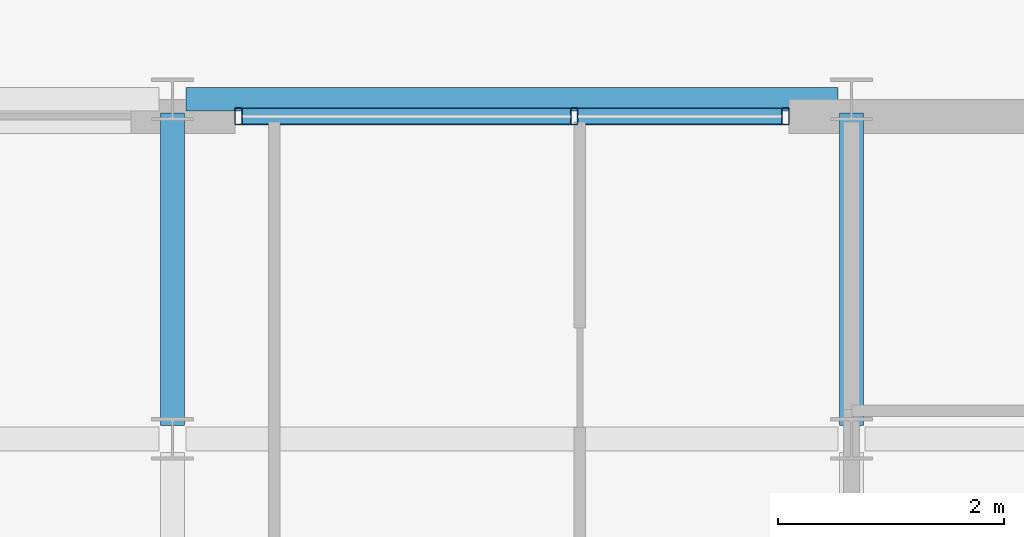
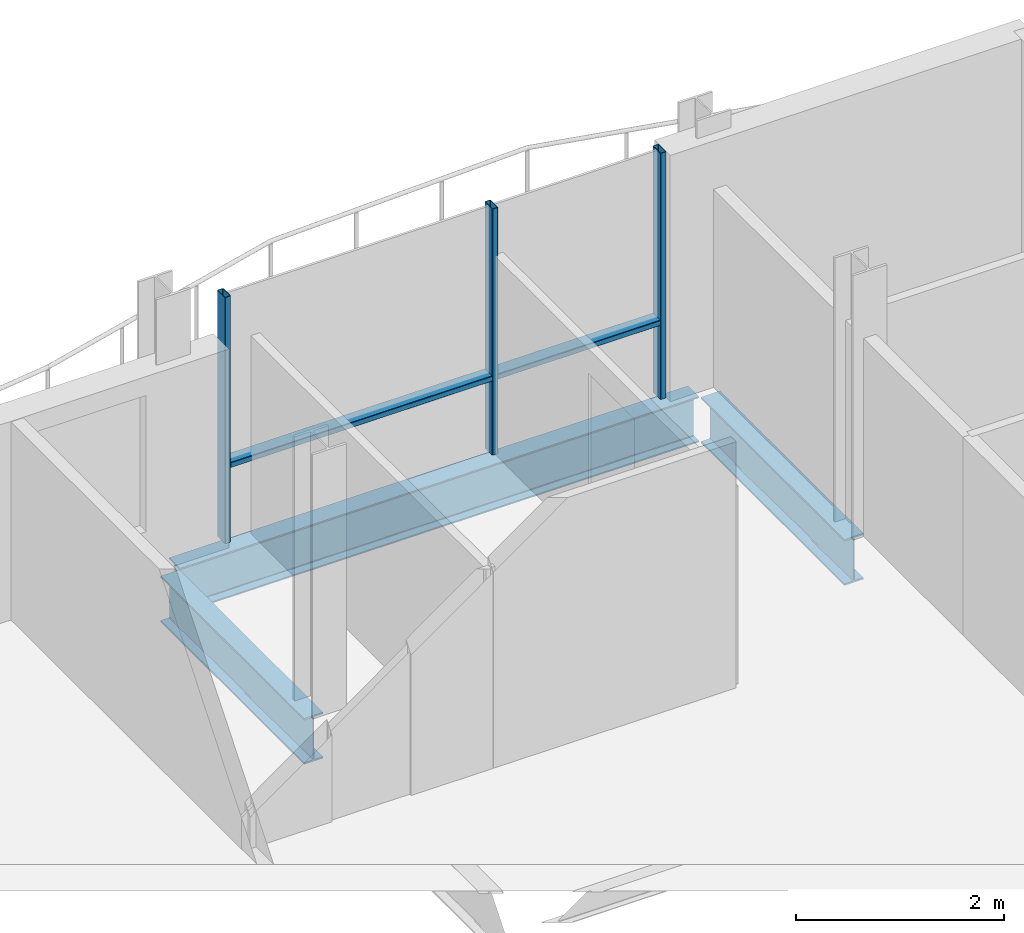
# One storey, part 14 of 30: 5 members, 3 beams, 1 element without a shape of its own.
"""IFC4 building model written with IfcOpenShell, lengths in metres."""

from ifc_helpers import new_model, si_unit, direction, frame, origin, origin_2d, place, context, subcontext, project, spatial, hollow_rectangle, i_section, extrude, material, layer, layer_set, material_profile, profile_set, type_object, element, aggregate, save


model = new_model("IFC4")

# Units and contexts
model_context = context("Model", 3, precision=1e-05, world=origin(), true_north=direction((0.0, 1.0)))
body_context = subcontext(model_context, "Body", "Model", "MODEL_VIEW")
ifc_project = project(units=[si_unit("LENGTHUNIT", "METRE"), si_unit("AREAUNIT", "SQUARE_METRE"), si_unit("VOLUMEUNIT", "CUBIC_METRE"), si_unit("PLANEANGLEUNIT", "RADIAN"), si_unit("MASSUNIT", "GRAM", prefix="KILO")], contexts=[model_context])

# Site, building, storey
site_placement = place(None, origin())
site = spatial("IfcSite", under=ifc_project, at=site_placement, CompositionType="ELEMENT")
building_placement = place(site_placement, origin())
building = spatial("IfcBuilding", under=site, at=building_placement, Name="Brevholm Reach", CompositionType="ELEMENT")
storey_placement = place(building_placement, frame((0.0, 0.0, 204.89990234375)))
storey = spatial("IfcBuildingStorey", under=building, at=storey_placement, Name="L62", CompositionType="ELEMENT", Elevation=204.89990234375)

# Beams
ifc_material_1 = material(Name="Structural Steel S355J2", Category="steel")
ifc_material_profile_1 = material_profile(ifc_material_1, i_section(OverallWidth=0.209228515625, OverallDepth=0.533203125, WebThickness=0.010009765625, FlangeThickness=0.015625, FilletRadius=0.0126953125, at=origin_2d()), Name="UKB 533x210x92")
ifc_profile_set_1 = profile_set([ifc_material_profile_1], Name="Structural Steel S355J2")
beam_type_1 = type_object("IfcBeamType", Name="BM-SP533", PredefinedType="SPANDREL", material=ifc_profile_set_1)
beam_placement = place(storey_placement, frame((48.1201171875, 26.5, -0.4765625), z_axis=(1.0, 0.0, 0.0), x_axis=(0.0, 1.0, 0.0)))
element("IfcBeam", 1, at=beam_placement, inside=storey, type_object=beam_type_1, Name="L62 SP-02 Framing Beam", PredefinedType="SPANDREL", context=body_context, shape_type="SweptSolid", body=[
    extrude(i_section(OverallWidth=0.209228515625, OverallDepth=0.533203125, WebThickness=0.010009765625, FlangeThickness=0.015625, FilletRadius=0.0126953125, at=origin_2d()), origin(), (0.0, 0.0, 1.0), 5.759765625),
])
ifc_material_2 = material(Name="Structural Steel S355J2", Category="steel")
ifc_material_profile_2 = material_profile(ifc_material_2, i_section(OverallWidth=0.210693359375, OverallDepth=0.53955078125, WebThickness=0.01171875, FlangeThickness=0.018798828125, FilletRadius=0.0126953125, at=origin_2d()), Name="UKB 533x210x109")
ifc_profile_set_2 = profile_set([ifc_material_profile_2], Name="Structural Steel S355J2")
beam_type_2 = type_object("IfcBeamType", Name="BM-SP539", PredefinedType="SPANDREL", material=ifc_profile_set_2)
for number, where, z_axis, x_axis, name in (
    (2, (48.0, 23.6201171875, -0.479736328125), (0.0, 1.0, 0.0), (-1.0, 0.0, 0.0), "L62 SP-01B Framing Beam"),
    (3, (54.0, 23.6201171875, -0.479736328125), (0.0, 1.0, 0.0), (-1.0, 0.0, 0.0), "L62 SP-01B Framing Beam"),
):
    element("IfcBeam", number, at=place(storey_placement, frame(where, z_axis=z_axis, x_axis=x_axis)), inside=storey, type_object=beam_type_2, Name=name, PredefinedType="SPANDREL", context=body_context, shape_type="SweptSolid", body=[
        extrude(i_section(OverallWidth=0.210693359375, OverallDepth=0.53955078125, WebThickness=0.01171875, FlangeThickness=0.018798828125, FilletRadius=0.0126953125, at=origin_2d()), origin(), (0.0, 0.0, 1.0), 2.759765625),
    ])

# Curtain wall, members
ifc_material_3 = material(Name="Dark Anodised Aluminium 6063-T6 and Solar-Control Glass", Category="aluminium")
ifc_layer = layer(ifc_material_3, 0.14990234375)
ifc_layer_set = layer_set([ifc_layer], Name="Dark Anodised Aluminium 6063-T6 and Solar-Control Glass")
curtain_wall_type = type_object("IfcCurtainWallType", Name="CW-01", PredefinedType="NOTDEFINED", material=ifc_layer_set)
curtain_wall_placement = place(storey_placement, origin())
curtain_wall = element("IfcCurtainWall", 4, at=curtain_wall_placement, inside=storey, type_object=curtain_wall_type, Name="L62 Curtain Wall CW-01", PredefinedType="NOTDEFINED")
ifc_material_4 = material(Name="Dark Anodised Aluminium 6063-T6", Category="aluminium")
ifc_material_profile_3 = material_profile(ifc_material_4, hollow_rectangle(XDim=0.06494140625, YDim=0.14990234375, WallThickness=0.0048828125, InnerFilletRadius=0.0048828125, OuterFilletRadius=0.010009765625, at=origin_2d()), Name="RHS 150x65x5")
ifc_profile_set_3 = profile_set([ifc_material_profile_3], Name="Dark Anodised Aluminium 6063-T6")
member_type_1 = type_object("IfcMemberType", Name="CWM-150", PredefinedType="MULLION", material=ifc_profile_set_3)
member_1_placement = place(storey_placement, frame((48.58251953125, 26.35009765625, 0.0), z_axis=(0.0, 0.0, 1.0), x_axis=(1.0, 0.0, 0.0)))
member_1 = element("IfcMember", 5, at=member_1_placement, type_object=member_type_1, Name="CM-150 Mullion 1", PredefinedType="MULLION", context=body_context, shape_type="SweptSolid", body=[
    extrude(hollow_rectangle(XDim=0.06494140625, YDim=0.14990234375, WallThickness=0.0048828125, InnerFilletRadius=0.0048828125, OuterFilletRadius=0.010009765625, at=origin_2d()), origin(), (0.0, 0.0, 1.0), 2.89013671875),
])
member_2_placement = place(storey_placement, frame((51.550048828125, 26.35009765625, 0.0), z_axis=(0.0, 0.0, 1.0), x_axis=(1.0, 0.0, 0.0)))
member_2 = element("IfcMember", 6, at=member_2_placement, type_object=member_type_1, Name="CM-150 Mullion 2", PredefinedType="MULLION", context=body_context, shape_type="SweptSolid", body=[
    extrude(hollow_rectangle(XDim=0.06494140625, YDim=0.14990234375, WallThickness=0.0048828125, InnerFilletRadius=0.0048828125, OuterFilletRadius=0.010009765625, at=origin_2d()), origin(), (0.0, 0.0, 1.0), 2.89013671875),
])
member_3_placement = place(storey_placement, frame((53.41748046875, 26.35009765625, 0.0), z_axis=(0.0, 0.0, 1.0), x_axis=(1.0, 0.0, 0.0)))
member_3 = element("IfcMember", 7, at=member_3_placement, type_object=member_type_1, Name="CM-150 Mullion 3", PredefinedType="MULLION", context=body_context, shape_type="SweptSolid", body=[
    extrude(hollow_rectangle(XDim=0.06494140625, YDim=0.14990234375, WallThickness=0.0048828125, InnerFilletRadius=0.0048828125, OuterFilletRadius=0.010009765625, at=origin_2d()), origin(), (0.0, 0.0, 1.0), 2.89013671875),
])
ifc_material_5 = material(Name="Dark Anodised Aluminium 6063-T6", Category="aluminium")
ifc_material_profile_4 = material_profile(ifc_material_5, hollow_rectangle(XDim=0.06494140625, YDim=0.14990234375, WallThickness=0.0048828125, InnerFilletRadius=0.0048828125, OuterFilletRadius=0.010009765625, at=origin_2d()), Name="RHS 150x65x5")
ifc_profile_set_4 = profile_set([ifc_material_profile_4], Name="Dark Anodised Aluminium 6063-T6")
member_type_2 = type_object("IfcMemberType", Name="CWT-150", PredefinedType="NOTDEFINED", material=ifc_profile_set_4)
member_4_placement = place(storey_placement, frame((48.614990234375, 26.35009765625, 0.900146484375), z_axis=(1.0, 0.0, 0.0), x_axis=(0.0, 0.0, 1.0)))
member_4 = element("IfcMember", 8, at=member_4_placement, type_object=member_type_2, Name="CT-150 Transom 1.1", ObjectType="TRANSOM", PredefinedType="USERDEFINED", context=body_context, shape_type="SweptSolid", body=[
    extrude(hollow_rectangle(XDim=0.06494140625, YDim=0.14990234375, WallThickness=0.0048828125, InnerFilletRadius=0.0048828125, OuterFilletRadius=0.010009765625, at=origin_2d()), origin(), (0.0, 0.0, 1.0), 2.902587890625),
])
member_5_placement = place(storey_placement, frame((51.58251953125, 26.35009765625, 0.900146484375), z_axis=(1.0, 0.0, 0.0), x_axis=(0.0, 0.0, 1.0)))
member_5 = element("IfcMember", 9, at=member_5_placement, type_object=member_type_2, Name="CT-150 Transom 2.1", ObjectType="TRANSOM", PredefinedType="USERDEFINED", context=body_context, shape_type="SweptSolid", body=[
    extrude(hollow_rectangle(XDim=0.06494140625, YDim=0.14990234375, WallThickness=0.0048828125, InnerFilletRadius=0.0048828125, OuterFilletRadius=0.010009765625, at=origin_2d()), origin(), (0.0, 0.0, 1.0), 1.802490234375),
])
aggregate(curtain_wall, [member_1, member_2, member_3, member_4, member_5])

save(model, "model.ifc")
